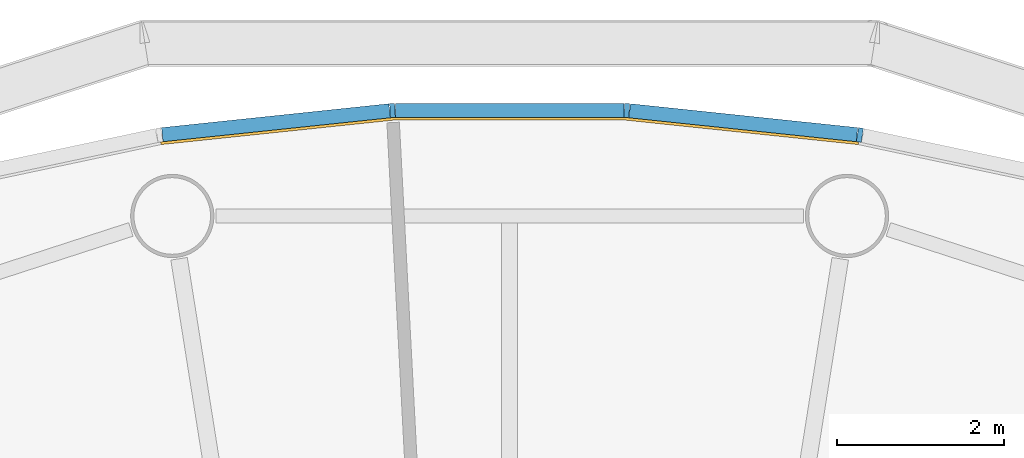
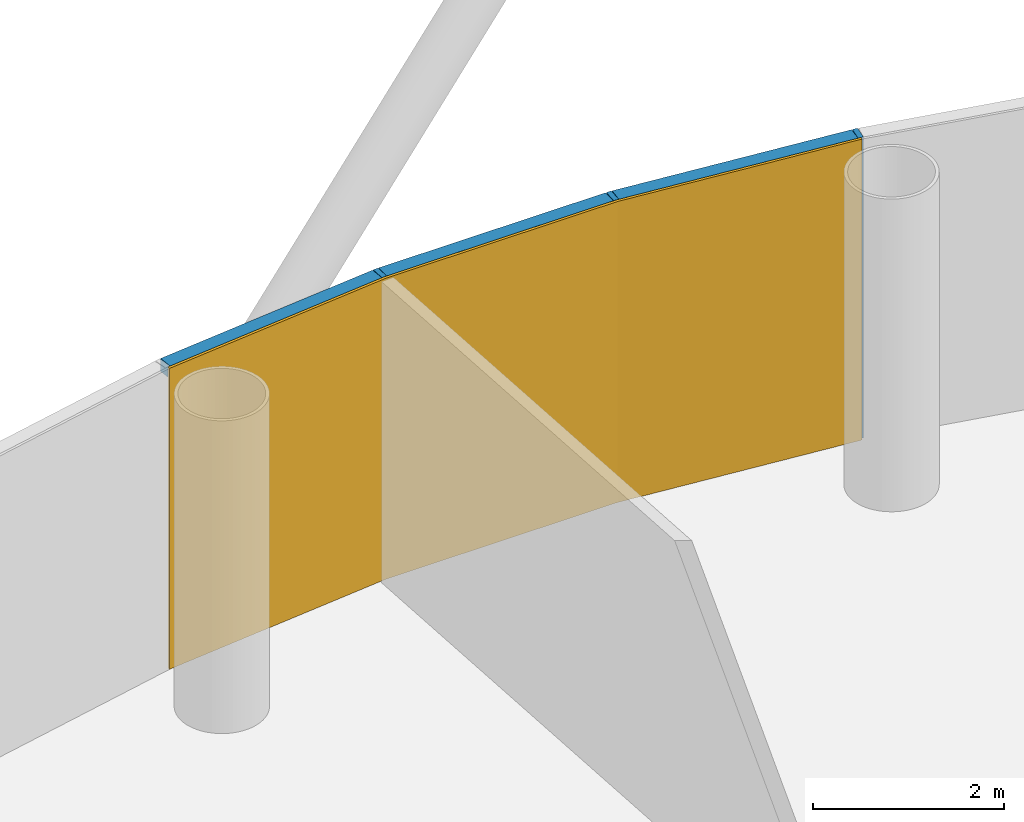
# One storey, part 10 of 12: 6 members, 1 curtain wall.
"""IFC4 building model written with IfcOpenShell, lengths in metres."""

from ifc_helpers import new_model, si_unit, direction, frame, origin, origin_2d, place, context, subcontext, project, spatial, polyline, rectangle, outline, extrude, material, layer, layer_set, material_profile, profile_set, type_object, element, aggregate, save


model = new_model("IFC4")

# Units and contexts
model_context = context("Model", 3, precision=1e-05, world=origin(), true_north=direction((0.0, 1.0)))
body_context = subcontext(model_context, "Body", "Model", "MODEL_VIEW")
ifc_project = project(units=[si_unit("LENGTHUNIT", "METRE"), si_unit("AREAUNIT", "SQUARE_METRE"), si_unit("VOLUMEUNIT", "CUBIC_METRE"), si_unit("PLANEANGLEUNIT", "RADIAN"), si_unit("MASSUNIT", "GRAM", prefix="KILO")], contexts=[model_context])

# Member
ifc_material_1 = material(Name="Anodised aluminium", Category="aluminium")
ifc_material_profile_1 = material_profile(ifc_material_1, rectangle(XDim=0.06005859375, YDim=0.169921875, at=origin_2d()), Name="Mullion 60 x 170 mm anodised aluminium")
ifc_profile_set_1 = profile_set([ifc_material_profile_1], Name="Anodised aluminium")
member_type_1 = type_object("IfcMemberType", Name="Mullion 60 x 170 mm anodised aluminium", PredefinedType="MULLION", material=ifc_profile_set_1)
site_placement = place(None, origin())
building_placement = place(site_placement, origin())
storey_placement = place(building_placement, frame((0.0, 0.0, 238.0)))
member_1_placement = place(storey_placement, frame((94.205810546875, 106.553955078125, 0.0), z_axis=(0.0, 0.0, 1.0), x_axis=(-0.987688340595, 0.15643446504, 0.0)))
member_1 = element("IfcMember", 1, at=member_1_placement, type_object=member_type_1, Name="MULLION L54-12", PredefinedType="MULLION", context=body_context, shape_type="SweptSolid", body=[
    extrude(rectangle(XDim=0.06005859375, YDim=0.169921875, at=origin_2d()), origin(), (0.0, 0.0, 1.0), 3.85009765625),
])

member_2_placement = place(storey_placement, frame((91.406982421875, 106.84814453125, 0.0), z_axis=(0.0, 0.0, 1.0), x_axis=(-0.998629534755, 0.052335956243, 0.0)))
member_2 = element("IfcMember", 2, at=member_2_placement, type_object=member_type_1, Name="MULLION L54-13", PredefinedType="MULLION", context=body_context, shape_type="SweptSolid", body=[
    extrude(rectangle(XDim=0.06005859375, YDim=0.169921875, at=origin_2d()), origin(), (0.0, 0.0, 1.0), 3.85009765625),
])

member_3_placement = place(storey_placement, frame((88.593017578125, 106.84814453125, 0.0), z_axis=(0.0, 0.0, 1.0), x_axis=(-0.998629534755, -0.052335956243, 0.0)))
member_3 = element("IfcMember", 3, at=member_3_placement, type_object=member_type_1, Name="MULLION L54-14", PredefinedType="MULLION", context=body_context, shape_type="SweptSolid", body=[
    extrude(rectangle(XDim=0.06005859375, YDim=0.169921875, at=origin_2d()), origin(), (0.0, 0.0, 1.0), 3.85009765625),
])

ifc_material_2 = material(Name="Anodised aluminium", Category="aluminium")
ifc_material_profile_2 = material_profile(ifc_material_2, rectangle(XDim=0.169921875, YDim=0.1650390625, at=origin_2d()), Name="Transom 165 x 170 mm anodised aluminium")
ifc_profile_set_2 = profile_set([ifc_material_profile_2], Name="Anodised aluminium")
member_type_2 = type_object("IfcMemberType", Name="Transom 165 x 170 mm anodised aluminium", PredefinedType="USERDEFINED", material=ifc_profile_set_2)
member_4_placement = place(storey_placement, frame((94.17138671875, 106.5576171875, 3.767578125), z_axis=(-0.994515195344, 0.104592190102, 0.0), x_axis=(-0.104592190102, -0.994515195344, 0.0)))
member_4 = element("IfcMember", 4, at=member_4_placement, type_object=member_type_2, Name="TRANSOM L54-12", ObjectType="TRANSOM", PredefinedType="USERDEFINED", context=body_context, shape_type="SweptSolid", body=[
    extrude(rectangle(XDim=0.169921875, YDim=0.1650390625, at=origin_2d()), origin(), (0.0, 0.0, 1.0), 2.7451171875),
])

member_5_placement = place(storey_placement, frame((91.37255859375, 106.848388671875, 3.767578125), z_axis=(-1.0, 0.0, 0.0), x_axis=(0.0, -1.0, 0.0)))
member_5 = element("IfcMember", 5, at=member_5_placement, type_object=member_type_2, Name="TRANSOM L54-13", ObjectType="TRANSOM", PredefinedType="USERDEFINED", context=body_context, shape_type="SweptSolid", body=[
    extrude(rectangle(XDim=0.169921875, YDim=0.1650390625, at=origin_2d()), origin(), (0.0, 0.0, 1.0), 2.7451171875),
])

member_6_placement = place(storey_placement, frame((88.55859375, 106.8447265625, 3.767578125), z_axis=(-0.994515195344, -0.104592190102, 0.0), x_axis=(0.104592190102, -0.994515195344, 0.0)))
member_6 = element("IfcMember", 6, at=member_6_placement, type_object=member_type_2, Name="TRANSOM L54-14", ObjectType="TRANSOM", PredefinedType="USERDEFINED", context=body_context, shape_type="SweptSolid", body=[
    extrude(rectangle(XDim=0.169921875, YDim=0.1650390625, at=origin_2d()), origin(), (0.0, 0.0, 1.0), 2.7451171875),
])

# Site, building, storey
site = spatial("IfcSite", under=ifc_project, at=site_placement, CompositionType="ELEMENT")
building = spatial("IfcBuilding", under=site, at=building_placement, Name="Entoto Ring Tower", CompositionType="ELEMENT")
storey = spatial("IfcBuildingStorey", under=building, at=storey_placement, Name="L54", CompositionType="ELEMENT", Elevation=238.0)

# Curtain wall
ifc_material_3 = material(Name="Clear low-iron glass", Category="glass")
ifc_layer = layer(ifc_material_3, 0.031982421875)
ifc_layer_set = layer_set([ifc_layer], Name="Clear low-iron glass")
curtain_wall_type = type_object("IfcCurtainWallType", Name="Curtain wall system CW4 glazing 32 mm", PredefinedType="NOTDEFINED", material=ifc_layer_set)
curtain_wall_placement = place(storey_placement, origin())
curtain_wall = element("IfcCurtainWall", 7, at=curtain_wall_placement, inside=storey, type_object=curtain_wall_type, Name="CW4 L54-05", PredefinedType="NOTDEFINED", context=body_context, shape_type="SweptSolid", body=[
    extrude(outline(polyline([(94.1923828125, 106.469970703125), (91.402587890625, 106.76318359375), (88.597412109375, 106.76318359375), (85.8076171875, 106.469970703125), (85.8125, 106.4384765625), (88.59912109375, 106.731201171875), (91.40087890625, 106.731201171875), (94.1875, 106.4384765625), (94.1923828125, 106.469970703125)])), origin(), (0.0, 0.0, 1.0), 3.85009765625),
])

aggregate(curtain_wall, [member_1, member_2, member_3, member_4, member_5, member_6])

save(model, "model.ifc")
